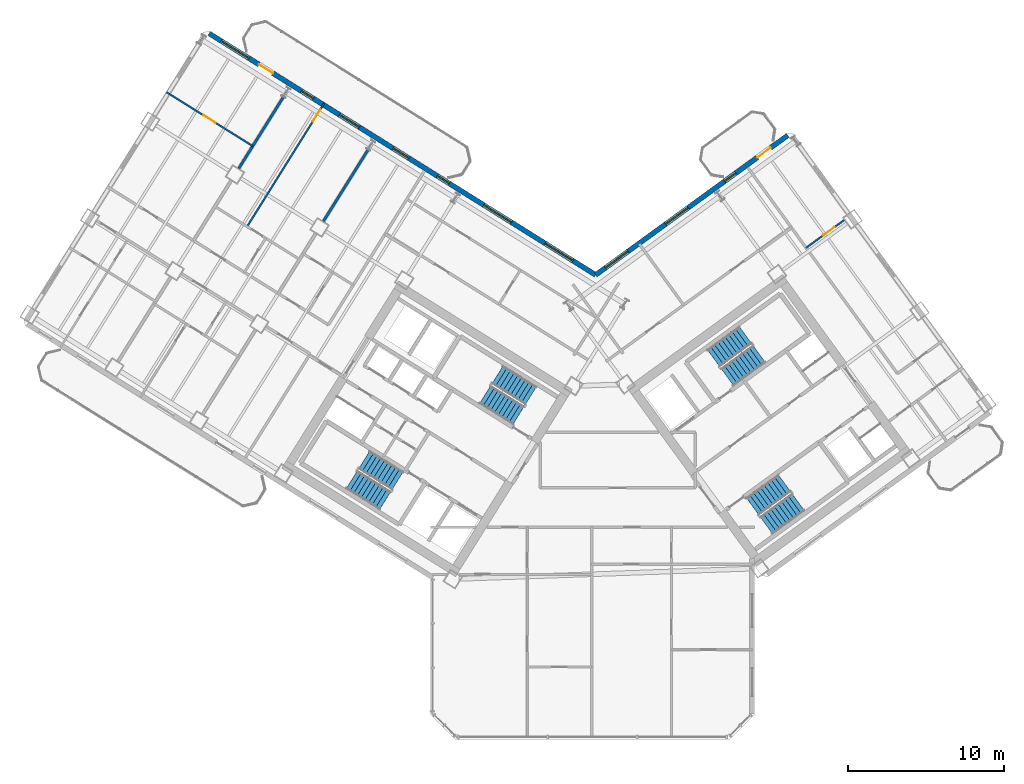
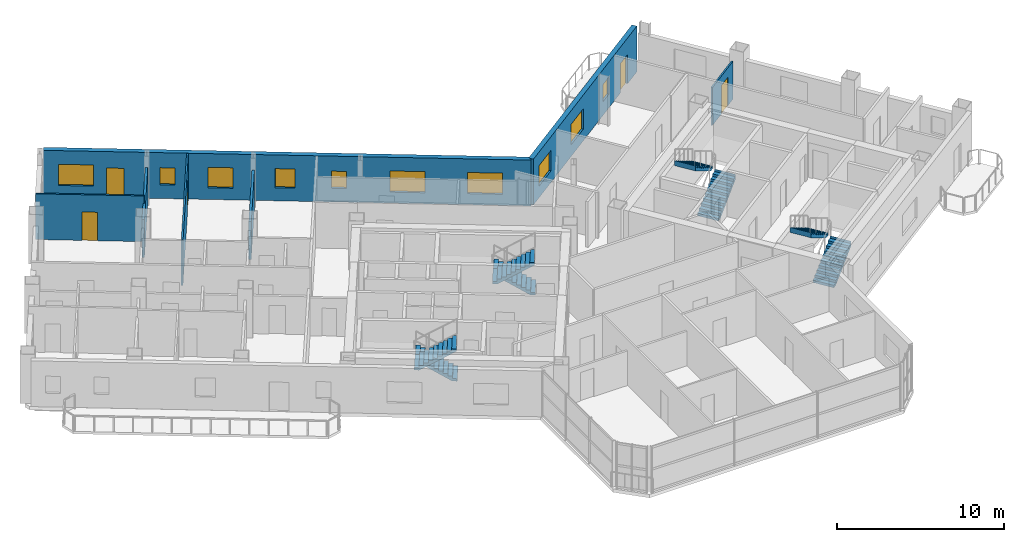
# One storey, part 16 of 20: 10 windows, 8 stair flights, 7 walls, 5 doors, 15 openings, 4 elements without a shape of their own.
"""IFC4 building model written with IfcOpenShell, lengths in metres."""

import ifcopenshell
import ifcopenshell.guid

model = None  # the IFC model being written
_history = None  # IfcOwnerHistory: only IFC2X3 demands one
_inside = {}  # id of a spatial element -> (the spatial element, [elements in it])
_under = {}  # id of a project, library or spatial element -> (it, [spatial elements below it])
_declared = {}  # id of a project -> (the project, [libraries it declares])
_typed = {}  # id of a type object -> (the type object, [elements of that type])
_made_of = {}  # id of a material, layer set ... -> (it, [elements and type objects made of it])


def new_model(schema):
    """Start an empty IFC model of exactly this schema.

    Asked for "IFC4X3", IfcOpenShell would pick the latest addendum, in which some entities
    have other attributes; the version numbers below select the first issue.
    IFC2X3 requires an IfcOwnerHistory on every rooted entity: one is made here for all.
    """
    global model, _history
    if schema == "IFC4X3":
        model = ifcopenshell.file(schema_version=(4, 3, 0, 0))
    else:
        model = ifcopenshell.file(schema=schema)
    _inside.clear()
    _under.clear()
    _declared.clear()
    _typed.clear()
    _made_of.clear()
    _history = None
    if model.schema == "IFC2X3":
        org = make("IfcOrganization", Name="unknown")
        user = make(
            "IfcPersonAndOrganization",
            ThePerson=make("IfcPerson", FamilyName="unknown"),
            TheOrganization=org,
        )
        app = make(
            "IfcApplication",
            ApplicationDeveloper=org,
            Version="unknown",
            ApplicationFullName="unknown",
            ApplicationIdentifier="unknown",
        )
        _history = make(
            "IfcOwnerHistory",
            OwningUser=user,
            OwningApplication=app,
            ChangeAction="ADDED",
            CreationDate=0,
        )
    return model


def make(cls, **values):
    """One entity of the class cls with the attributes given. An attribute that is None is left unset."""
    return model.create_entity(
        cls, **{name: value for name, value in values.items() if value is not None}
    )


def rooted(cls, **values):
    """An entity with a GlobalId (a new one), such as an element, a storey or a relation."""
    return make(cls, GlobalId=ifcopenshell.guid.new(), OwnerHistory=_history, **values)


def si_unit(unit_type, name, prefix=None):
    """IfcSIUnit, for example si_unit("LENGTHUNIT", "METRE", prefix="MILLI")."""
    return make("IfcSIUnit", UnitType=unit_type, Prefix=prefix, Name=name)


def assignment(units):
    """IfcUnitAssignment: the units of a project."""
    return None if units is None else make("IfcUnitAssignment", Units=units)


def point(xyz):
    """IfcCartesianPoint."""
    return None if xyz is None else make("IfcCartesianPoint", Coordinates=xyz)


def direction(xyz):
    """IfcDirection."""
    return None if xyz is None else make("IfcDirection", DirectionRatios=xyz)


def frame(location, z_axis=None, x_axis=None):
    """IfcAxis2Placement3D, a coordinate frame: its origin and axes. An axis left out is left unset."""
    return make(
        "IfcAxis2Placement3D",
        Location=point(location),
        Axis=direction(z_axis),
        RefDirection=direction(x_axis),
    )


def frame_2d(location, x_axis=None):
    """IfcAxis2Placement2D, a coordinate frame in the plane: its origin and x axis."""
    return make(
        "IfcAxis2Placement2D", Location=point(location), RefDirection=direction(x_axis)
    )


def origin():
    """The frame at (0, 0, 0) with its axes left unset."""
    return frame((0.0, 0.0, 0.0))


def place(relative_to, where):
    """IfcLocalPlacement: puts the frame where relative to a parent placement (None: the world)."""
    return make(
        "IfcLocalPlacement", PlacementRelTo=relative_to, RelativePlacement=where
    )


def context(
    kind, dimensions, precision=None, world=None, true_north=None, identifier=None
):
    """IfcGeometricRepresentationContext, for example the 3D "Model" context."""
    return make(
        "IfcGeometricRepresentationContext",
        ContextIdentifier=identifier,
        ContextType=kind,
        CoordinateSpaceDimension=dimensions,
        Precision=precision,
        WorldCoordinateSystem=world,
        TrueNorth=true_north,
    )


def subcontext(parent, identifier, kind, view, scale=None):
    """IfcGeometricRepresentationSubContext, for example "Body" below "Model"."""
    return make(
        "IfcGeometricRepresentationSubContext",
        ContextIdentifier=identifier,
        ContextType=kind,
        ParentContext=parent,
        TargetScale=scale,
        TargetView=view,
    )


def project(units=None, contexts=None):
    """IfcProject with its units and contexts."""
    return rooted(
        "IfcProject",
        Name="project",
        RepresentationContexts=contexts,
        UnitsInContext=assignment(units),
    )


def spatial(cls, under=None, at=None, **own):
    """A site, building, storey or space (cls), placed at a placement, below another one or the project."""
    s = rooted(cls, ObjectPlacement=at, **own)
    if under is not None:
        _under.setdefault(under.id(), (under, []))[1].append(s)
    return s


def polyline(points):
    """IfcPolyline through the points."""
    return make("IfcPolyline", Points=[point(p) for p in points])


def profile(cls, at=None, kind="AREA", **sizes):
    """A parametric profile (cls). Its sizes go by their IFC names, for example OverallWidth=200.0."""
    return make(cls, ProfileType=kind, Position=at, **sizes)


def rectangle(**sizes):
    """IfcRectangleProfileDef."""
    return profile("IfcRectangleProfileDef", **sizes)


def outline(outer, holes=None, kind="AREA"):
    """IfcArbitraryClosedProfileDef: a profile drawn as a closed curve; with holes, ...WithVoids."""
    if holes is None:
        return make("IfcArbitraryClosedProfileDef", ProfileType=kind, OuterCurve=outer)
    return make(
        "IfcArbitraryProfileDefWithVoids",
        ProfileType=kind,
        OuterCurve=outer,
        InnerCurves=holes,
    )


def extrude(swept, where, along, depth):
    """IfcExtrudedAreaSolid: the profile swept, set in the frame where, extruded along a direction by depth."""
    return make(
        "IfcExtrudedAreaSolid",
        SweptArea=swept,
        Position=where,
        ExtrudedDirection=direction(along),
        Depth=depth,
    )


def shape(context_of_items, identifier, shape_type, items):
    """IfcShapeRepresentation: the items that make up one representation, for example the "Body"."""
    return make(
        "IfcShapeRepresentation",
        ContextOfItems=context_of_items,
        RepresentationIdentifier=identifier,
        RepresentationType=shape_type,
        Items=items,
    )


def source(mapping_origin, context_of_items, identifier, shape_type, items):
    """IfcRepresentationMap: a shape defined once, which mapped items show again and again."""
    return make(
        "IfcRepresentationMap",
        MappingOrigin=mapping_origin,
        MappedRepresentation=shape(context_of_items, identifier, shape_type, items),
    )


def transform(
    local_origin,
    x_axis=None,
    y_axis=None,
    z_axis=None,
    scale=None,
    scale2=None,
    scale3=None,
    uniform=True,
):
    """IfcCartesianTransformationOperator3D, or its non-uniform kind. x_axis, y_axis, z_axis: its Axis1, 2, 3."""
    if uniform:
        return make(
            "IfcCartesianTransformationOperator3D",
            Axis1=direction(x_axis),
            Axis2=direction(y_axis),
            LocalOrigin=point(local_origin),
            Scale=scale,
            Axis3=direction(z_axis),
        )
    return make(
        "IfcCartesianTransformationOperator3DnonUniform",
        Axis1=direction(x_axis),
        Axis2=direction(y_axis),
        LocalOrigin=point(local_origin),
        Scale=scale,
        Axis3=direction(z_axis),
        Scale2=scale2,
        Scale3=scale3,
    )


def mapped(mapping_source, mapping_target):
    """IfcMappedItem: shows the shape of a source again, moved by a transform."""
    return make(
        "IfcMappedItem", MappingSource=mapping_source, MappingTarget=mapping_target
    )


def material(Name=None, Category=None):
    """IfcMaterial."""
    return make("IfcMaterial", Name=Name, Category=Category)


def layer(
    of_material, thickness, ventilated=None, Name=None, Category=None, Priority=None
):
    """IfcMaterialLayer: one layer of a wall or slab, of a material (None: an air gap)."""
    return make(
        "IfcMaterialLayer",
        Material=of_material,
        LayerThickness=thickness,
        IsVentilated=ventilated,
        Name=Name,
        Category=Category,
        Priority=Priority,
    )


def layer_set(layers, Name=None):
    """IfcMaterialLayerSet."""
    return make("IfcMaterialLayerSet", MaterialLayers=layers, LayerSetName=Name)


def made_of(thing, what):
    """Note that an element or type object is made of a material, layer set ...; save() writes the relation."""
    if what is not None:
        _made_of.setdefault(what.id(), (what, []))[1].append(thing)
    return thing


def type_object(cls, material=None, **own):
    """A type object (cls), such as IfcWallType, which elements share."""
    return made_of(rooted(cls, **own), material)


def element(
    cls,
    number,
    at=None,
    inside=None,
    cuts=None,
    type_object=None,
    material=None,
    context=None,
    identifier="Body",
    shape_type=None,
    held_by="IfcProductDefinitionShape",
    body=None,
    shapes=None,
    **own,
):
    """One element of the class cls, such as IfcWall. Its Tag is "e" and its number.

    at: its placement. inside: the storey or other place that contains it. cuts: it is an
    opening in that element (IfcRelVoidsElement). A single representation is given by context,
    identifier, shape_type and body (its items); several are given by shapes. held_by: the class
    of the entity that holds the representations. save() writes the other relations.
    """
    e = rooted(cls, Tag="e%d" % number, ObjectPlacement=at, **own)
    if body is not None:
        shapes = [shape(context, identifier, shape_type, body)]
    if shapes is not None:
        e.Representation = make(held_by, Representations=shapes)
    if inside is not None:
        _inside.setdefault(inside.id(), (inside, []))[1].append(e)
    if cuts is not None:
        rooted(
            "IfcRelVoidsElement", RelatingBuildingElement=cuts, RelatedOpeningElement=e
        )
    if type_object is not None:
        _typed.setdefault(type_object.id(), (type_object, []))[1].append(e)
    return made_of(e, material)


def fill(opening, filler):
    """IfcRelFillsElement: the door or window that sits in an opening."""
    return rooted(
        "IfcRelFillsElement",
        RelatingOpeningElement=opening,
        RelatedBuildingElement=filler,
    )


def aggregate(whole, parts):
    """IfcRelAggregates: a whole, such as a stair, and the parts it consists of."""
    return rooted("IfcRelAggregates", RelatingObject=whole, RelatedObjects=parts)


def save(model, path):
    """Write the relations noted so far, then the file.

    IfcRelAggregates (storeys below a building ...), IfcRelContainedInSpatialStructure (elements
    in a storey), IfcRelDefinesByType, IfcRelAssociatesMaterial and IfcRelDeclares: one each for
    every whole, place, type object, material and project.
    """
    for whole, parts in _under.values():
        aggregate(whole, parts)
    for where, things in _inside.values():
        rooted(
            "IfcRelContainedInSpatialStructure",
            RelatedElements=things,
            RelatingStructure=where,
        )
    for kind, things in _typed.values():
        rooted("IfcRelDefinesByType", RelatedObjects=things, RelatingType=kind)
    for what, things in _made_of.values():
        rooted("IfcRelAssociatesMaterial", RelatedObjects=things, RelatingMaterial=what)
    for by, libraries in _declared.values():
        rooted("IfcRelDeclares", RelatingContext=by, RelatedDefinitions=libraries)
    model.write(path)


model = new_model("IFC4")

# Units and contexts
model_context = context("Model", 3, precision=1e-05, world=origin(), true_north=direction((0.0, 1.0)))
body_context = subcontext(model_context, "Body", "Model", "MODEL_VIEW")
ifc_project = project(units=[si_unit("LENGTHUNIT", "METRE"), si_unit("AREAUNIT", "SQUARE_METRE"), si_unit("VOLUMEUNIT", "CUBIC_METRE"), si_unit("PLANEANGLEUNIT", "RADIAN"), si_unit("MASSUNIT", "GRAM", prefix="KILO")], contexts=[model_context])

# Site, building, storey
site_placement = place(None, origin())
site = spatial("IfcSite", under=ifc_project, at=site_placement, CompositionType="ELEMENT")
building_placement = place(site_placement, origin())
building = spatial("IfcBuilding", under=site, at=building_placement, Name="Tlacorven Tower", CompositionType="ELEMENT")
storey_placement = place(building_placement, frame((0.0, 0.0, 108.89990234375)))
storey = spatial("IfcBuildingStorey", under=building, at=storey_placement, Name="L27", CompositionType="ELEMENT", Elevation=108.89990234375)

# Walls
ifc_material_1 = material(Name="Gypsum plasterboard acoustic partition", Category="gypsum")
ifc_layer_1 = layer(ifc_material_1, 0.159912109375)
ifc_layer_set_1 = layer_set([ifc_layer_1], Name="Gypsum plasterboard acoustic partition")
wall_type_1 = type_object("IfcWallType", Name="WL-DEM-160", PredefinedType="PARTITIONING", material=ifc_layer_set_1)
for number, where, z_axis, x_axis, name in (
    (1, (27.607421875, 39.614990234375, 0.0), (0.0, 0.0, 1.0), (-0.529913610495, -0.848051628978, 0.0), "L27 WS Demising Wall 1"),
    (2, (22.179931640625, 43.00634765625, 0.0), (0.0, 0.0, 1.0), (-0.529913610495, -0.848051628978, 0.0), "L27 WS Demising Wall 2"),
):
    element("IfcWall", number, at=place(storey_placement, frame(where, z_axis=z_axis, x_axis=x_axis)), inside=storey, type_object=wall_type_1, Name=name, PredefinedType="PARTITIONING", context=body_context, shape_type="SweptSolid", body=[
        extrude(rectangle(XDim=5.40087890625, YDim=0.159912109375, at=frame_2d((2.700439453125, 0.0))), origin(), (0.0, 0.0, 1.0), 2.775146484375),
    ])

# Wall, openings, door, windows
ifc_material_2 = material(Name="Precast concrete C45/55", Category="concrete")
ifc_layer_2 = layer(ifc_material_2, 0.320068359375)
ifc_layer_set_2 = layer_set([ifc_layer_2], Name="Precast concrete C45/55")
wall_type_2 = type_object("IfcWallType", Name="WL-EXT-320", PredefinedType="STANDARD", material=ifc_layer_set_2)
wall_1_placement = place(storey_placement, frame((17.423828125, 47.083251953125, 0.0), z_axis=(0.0, 0.0, 1.0), x_axis=(0.848049927979, -0.529916332693, 0.0)))
wall_1 = element("IfcWall", 3, at=wall_1_placement, inside=storey, type_object=wall_type_2, Name="L27 Masonry-Frame Recessed Facade Wall 3", PredefinedType="STANDARD", context=body_context, shape_type="SweptSolid", body=[
    extrude(rectangle(XDim=29.22314453125, YDim=0.320068359375, at=frame_2d((14.611572265625, 0.0))), origin(), (0.0, 0.0, 1.0), 3.35009765625),
])
opening_1_placement = place(wall_1_placement, frame((3.77001953125, 0.0, 0.0)))
opening_1 = element("IfcOpeningElement", 4, at=opening_1_placement, cuts=wall_1, Name="Opening D06", PredefinedType="OPENING", context=body_context, shape_type="SweptSolid", body=[
    extrude(rectangle(XDim=1.050048828125, YDim=2.14990234375, at=frame_2d((0.52490234375, 1.074951171875))), frame((0.0, 0.169921875, 0.0), z_axis=(0.0, -1.0, 0.0), x_axis=(1.0, 0.0, 0.0)), (0.0, 0.0, 1.0), 0.340087890625),
])
opening_2_placement = place(wall_1_placement, frame((0.89990234375, 0.0, 0.800048828125)))
opening_2 = element("IfcOpeningElement", 5, at=opening_2_placement, cuts=wall_1, Name="Opening WN04", PredefinedType="OPENING", context=body_context, shape_type="SweptSolid", body=[
    extrude(rectangle(XDim=2.10009765625, YDim=1.550048828125, at=frame_2d((1.050048828125, 0.77490234375))), frame((0.0, 0.169921875, 0.0), z_axis=(0.0, -1.0, 0.0), x_axis=(1.0, 0.0, 0.0)), (0.0, 0.0, 1.0), 0.340087890625),
])
opening_3_placement = place(wall_1_placement, frame((6.97216796875, 0.0, 1.0)))
opening_3 = element("IfcOpeningElement", 6, at=opening_3_placement, cuts=wall_1, Name="Opening WN05", PredefinedType="OPENING", context=body_context, shape_type="SweptSolid", body=[
    extrude(rectangle(XDim=0.89990234375, YDim=1.25, at=frame_2d((0.449951171875, 0.625))), frame((0.0, 0.169921875, 0.0), z_axis=(0.0, -1.0, 0.0), x_axis=(1.0, 0.0, 0.0)), (0.0, 0.0, 1.0), 0.340087890625),
])
opening_4_placement = place(wall_1_placement, frame((9.84716796875, 0.0, 0.85009765625)))
opening_4 = element("IfcOpeningElement", 7, at=opening_4_placement, cuts=wall_1, Name="Opening WN02", PredefinedType="OPENING", context=body_context, shape_type="SweptSolid", body=[
    extrude(rectangle(XDim=1.5, YDim=1.5, at=frame_2d((0.75, 0.75))), frame((0.0, 0.169921875, 0.0), z_axis=(0.0, -1.0, 0.0), x_axis=(1.0, 0.0, 0.0)), (0.0, 0.0, 1.0), 0.340087890625),
])
opening_5_placement = place(wall_1_placement, frame((13.888671875, 0.0, 0.949951171875)))
opening_5 = element("IfcOpeningElement", 8, at=opening_5_placement, cuts=wall_1, Name="Opening WN03", PredefinedType="OPENING", context=body_context, shape_type="SweptSolid", body=[
    extrude(rectangle(XDim=1.199951171875, YDim=1.39990234375, at=frame_2d((0.60009765625, 0.699951171875))), frame((0.0, 0.169921875, 0.0), z_axis=(0.0, -1.0, 0.0), x_axis=(1.0, 0.0, 0.0)), (0.0, 0.0, 1.0), 0.340087890625),
])
opening_6_placement = place(wall_1_placement, frame((17.253662109375, 0.0, 1.0)))
opening_6 = element("IfcOpeningElement", 9, at=opening_6_placement, cuts=wall_1, Name="Opening WN05", PredefinedType="OPENING", context=body_context, shape_type="SweptSolid", body=[
    extrude(rectangle(XDim=0.89990234375, YDim=1.25, at=frame_2d((0.449951171875, 0.625))), frame((0.0, 0.169921875, 0.0), z_axis=(0.0, -1.0, 0.0), x_axis=(1.0, 0.0, 0.0)), (0.0, 0.0, 1.0), 0.340087890625),
])
opening_7_placement = place(wall_1_placement, frame((20.763671875, 0.0, 0.800048828125)))
opening_7 = element("IfcOpeningElement", 10, at=opening_7_placement, cuts=wall_1, Name="Opening WN04", PredefinedType="OPENING", context=body_context, shape_type="SweptSolid", body=[
    extrude(rectangle(XDim=2.10009765625, YDim=1.550048828125, at=frame_2d((1.050048828125, 0.77490234375))), frame((0.0, 0.169921875, 0.0), z_axis=(0.0, -1.0, 0.0), x_axis=(1.0, 0.0, 0.0)), (0.0, 0.0, 1.0), 0.340087890625),
])
opening_8_placement = place(wall_1_placement, frame((25.4033203125, 0.0, 0.800048828125)))
opening_8 = element("IfcOpeningElement", 11, at=opening_8_placement, cuts=wall_1, Name="Opening WN04", PredefinedType="OPENING", context=body_context, shape_type="SweptSolid", body=[
    extrude(rectangle(XDim=2.10009765625, YDim=1.550048828125, at=frame_2d((1.050048828125, 0.77490234375))), frame((0.0, 0.169921875, 0.0), z_axis=(0.0, -1.0, 0.0), x_axis=(1.0, 0.0, 0.0)), (0.0, 0.0, 1.0), 0.340087890625),
])
ifc_material_3 = material(Name="Powder-coated aluminium and timber door", Category="wood")
door_type_1 = type_object("IfcDoorType", Name="DR-EXT-BALC-1050", OperationType="NOTDEFINED", PredefinedType="DOOR", material=ifc_material_3)
shared_shape_1 = source(origin(), body_context, "Body", "SweptSolid", [
    extrude(rectangle(XDim=1.050048828125, YDim=2.14990234375, at=frame_2d((0.52490234375, 1.074951171875))), frame((0.0, 0.02490234375, 0.0), z_axis=(0.0, -1.0, 0.0), x_axis=(1.0, 0.0, 0.0)), (0.0, 0.0, 1.0), 0.050048828125),
])
door_1_placement = place(opening_1_placement, origin())
door_1 = element("IfcDoor", 12, at=door_1_placement, inside=storey, type_object=door_type_1, Name="L27 Outdoor Access Door BAL-L27-W-IN", OperationType="SINGLE_SWING_RIGHT", OverallHeight=2.14990234375, OverallWidth=1.050048828125, PredefinedType="DOOR", context=body_context, shape_type="MappedRepresentation", body=[
    mapped(shared_shape_1, transform((0.0, 0.0, 0.0), scale=1.0)),
])
fill(opening_1, door_1)
ifc_material_4 = material(Name="Dark solar low-E double glazing in anodised aluminium frame", Category="aluminium")
window_type_1 = type_object("IfcWindowType", Name="WN-APT-2100X1750", PartitioningType="SINGLE_PANEL", PredefinedType="WINDOW", material=ifc_material_4)
shared_shape_2 = source(origin(), body_context, "Body", "SweptSolid", [
    extrude(rectangle(XDim=2.10009765625, YDim=1.550048828125, at=frame_2d((1.050048828125, 0.77490234375))), frame((0.0, 0.030029296875, 0.0), z_axis=(0.0, -1.0, 0.0), x_axis=(1.0, 0.0, 0.0)), (0.0, 0.0, 1.0), 0.06005859375),
])
window_1_placement = place(opening_2_placement, origin())
window_1 = element("IfcWindow", 13, at=window_1_placement, inside=storey, type_object=window_type_1, Name="L27 Recessed Masonry-Frame Window L27-03.1", OverallHeight=1.550048828125, OverallWidth=2.10009765625, PartitioningType="SINGLE_PANEL", PredefinedType="WINDOW", context=body_context, shape_type="MappedRepresentation", body=[
    mapped(shared_shape_2, transform((0.0, 0.0, 0.0), scale=1.0)),
])
fill(opening_2, window_1)
window_2_placement = place(opening_7_placement, origin())
window_2 = element("IfcWindow", 14, at=window_2_placement, inside=storey, type_object=window_type_1, Name="L27 Recessed Masonry-Frame Window L27-03.6", OverallHeight=1.550048828125, OverallWidth=2.10009765625, PartitioningType="SINGLE_PANEL", PredefinedType="WINDOW", context=body_context, shape_type="MappedRepresentation", body=[
    mapped(shared_shape_2, transform((0.0, 0.0, 0.0), scale=1.0)),
])
fill(opening_7, window_2)
window_3_placement = place(opening_8_placement, origin())
window_3 = element("IfcWindow", 15, at=window_3_placement, inside=storey, type_object=window_type_1, Name="L27 Recessed Masonry-Frame Window L27-03.7", OverallHeight=1.550048828125, OverallWidth=2.10009765625, PartitioningType="SINGLE_PANEL", PredefinedType="WINDOW", context=body_context, shape_type="MappedRepresentation", body=[
    mapped(shared_shape_2, transform((0.0, 0.0, 0.0), scale=1.0)),
])
fill(opening_8, window_3)
window_type_2 = type_object("IfcWindowType", Name="WN-APT-1200X1500", PartitioningType="SINGLE_PANEL", PredefinedType="WINDOW", material=ifc_material_4)
shared_shape_3 = source(origin(), body_context, "Body", "SweptSolid", [
    extrude(rectangle(XDim=1.199951171875, YDim=1.39990234375, at=frame_2d((0.60009765625, 0.699951171875))), frame((0.0, 0.030029296875, 0.0), z_axis=(0.0, -1.0, 0.0), x_axis=(1.0, 0.0, 0.0)), (0.0, 0.0, 1.0), 0.06005859375),
])
window_4_placement = place(opening_5_placement, origin())
window_4 = element("IfcWindow", 16, at=window_4_placement, inside=storey, type_object=window_type_2, Name="L27 Recessed Masonry-Frame Window L27-03.4", OverallHeight=1.39990234375, OverallWidth=1.199951171875, PartitioningType="SINGLE_PANEL", PredefinedType="WINDOW", context=body_context, shape_type="MappedRepresentation", body=[
    mapped(shared_shape_3, transform((0.0, 0.0, 0.0), scale=1.0)),
])
fill(opening_5, window_4)
window_type_3 = type_object("IfcWindowType", Name="WN-APT-1500X1650", PartitioningType="SINGLE_PANEL", PredefinedType="WINDOW", material=ifc_material_4)
shared_shape_4 = source(origin(), body_context, "Body", "SweptSolid", [
    extrude(rectangle(XDim=1.5, YDim=1.5, at=frame_2d((0.75, 0.75))), frame((0.0, 0.030029296875, 0.0), z_axis=(0.0, -1.0, 0.0), x_axis=(1.0, 0.0, 0.0)), (0.0, 0.0, 1.0), 0.06005859375),
])
window_5_placement = place(opening_4_placement, origin())
window_5 = element("IfcWindow", 17, at=window_5_placement, inside=storey, type_object=window_type_3, Name="L27 Recessed Masonry-Frame Window L27-03.3", OverallHeight=1.5, OverallWidth=1.5, PartitioningType="SINGLE_PANEL", PredefinedType="WINDOW", context=body_context, shape_type="MappedRepresentation", body=[
    mapped(shared_shape_4, transform((0.0, 0.0, 0.0), scale=1.0)),
])
fill(opening_4, window_5)
window_type_4 = type_object("IfcWindowType", Name="WN-APT-0900X1350", PartitioningType="SINGLE_PANEL", PredefinedType="WINDOW", material=ifc_material_4)
shared_shape_5 = source(origin(), body_context, "Body", "SweptSolid", [
    extrude(rectangle(XDim=0.89990234375, YDim=1.25, at=frame_2d((0.449951171875, 0.625))), frame((0.0, 0.030029296875, 0.0), z_axis=(0.0, -1.0, 0.0), x_axis=(1.0, 0.0, 0.0)), (0.0, 0.0, 1.0), 0.06005859375),
])
window_6_placement = place(opening_3_placement, origin())
window_6 = element("IfcWindow", 18, at=window_6_placement, inside=storey, type_object=window_type_4, Name="L27 Recessed Masonry-Frame Window L27-03.2", OverallHeight=1.25, OverallWidth=0.89990234375, PartitioningType="SINGLE_PANEL", PredefinedType="WINDOW", context=body_context, shape_type="MappedRepresentation", body=[
    mapped(shared_shape_5, transform((0.0, 0.0, 0.0), scale=1.0)),
])
fill(opening_3, window_6)
window_7_placement = place(opening_6_placement, origin())
window_7 = element("IfcWindow", 19, at=window_7_placement, inside=storey, type_object=window_type_4, Name="L27 Recessed Masonry-Frame Window L27-03.5", OverallHeight=1.25, OverallWidth=0.89990234375, PartitioningType="SINGLE_PANEL", PredefinedType="WINDOW", context=body_context, shape_type="MappedRepresentation", body=[
    mapped(shared_shape_5, transform((0.0, 0.0, 0.0), scale=1.0)),
])
fill(opening_6, window_7)

wall_2_placement = place(storey_placement, frame((42.20654296875, 31.597412109375, 0.0), z_axis=(0.0, 0.0, 1.0), x_axis=(0.809020333377, 0.587780656523, 0.0)))
wall_2 = element("IfcWall", 20, at=wall_2_placement, inside=storey, type_object=wall_type_2, Name="L27 Masonry-Frame Recessed Facade Wall 4", PredefinedType="STANDARD", context=body_context, shape_type="SweptSolid", body=[
    extrude(rectangle(XDim=15.222900390625, YDim=0.320068359375, at=frame_2d((7.611328125, 0.0))), origin(), (0.0, 0.0, 1.0), 3.35009765625),
])
opening_9_placement = place(wall_2_placement, frame((12.81982421875, 0.0, 0.0)))
opening_9 = element("IfcOpeningElement", 21, at=opening_9_placement, cuts=wall_2, Name="Opening D06", PredefinedType="OPENING", context=body_context, shape_type="SweptSolid", body=[
    extrude(rectangle(XDim=1.050048828125, YDim=2.14990234375, at=frame_2d((0.52490234375, 1.074951171875))), frame((0.0, 0.169921875, 0.0), z_axis=(0.0, -1.0, 0.0), x_axis=(1.0, 0.0, 0.0)), (0.0, 0.0, 1.0), 0.340087890625),
])
opening_10_placement = place(wall_2_placement, frame((0.774658203125, 0.0, 0.85009765625)))
opening_10 = element("IfcOpeningElement", 22, at=opening_10_placement, cuts=wall_2, Name="Opening WN01", PredefinedType="OPENING", context=body_context, shape_type="SweptSolid", body=[
    extrude(rectangle(XDim=1.800048828125, YDim=1.5, at=frame_2d((0.89990234375, 0.75))), frame((0.0, 0.169921875, 0.0), z_axis=(0.0, -1.0, 0.0), x_axis=(1.0, 0.0, 0.0)), (0.0, 0.0, 1.0), 0.340087890625),
])
opening_11_placement = place(wall_2_placement, frame((5.54443359375, 0.0, 0.85009765625)))
opening_11 = element("IfcOpeningElement", 23, at=opening_11_placement, cuts=wall_2, Name="Opening WN01", PredefinedType="OPENING", context=body_context, shape_type="SweptSolid", body=[
    extrude(rectangle(XDim=1.800048828125, YDim=1.5, at=frame_2d((0.89990234375, 0.75))), frame((0.0, 0.169921875, 0.0), z_axis=(0.0, -1.0, 0.0), x_axis=(1.0, 0.0, 0.0)), (0.0, 0.0, 1.0), 0.340087890625),
])
opening_12_placement = place(wall_2_placement, frame((10.219482421875, 0.0, 1.0)))
opening_12 = element("IfcOpeningElement", 24, at=opening_12_placement, cuts=wall_2, Name="Opening WN05", PredefinedType="OPENING", context=body_context, shape_type="SweptSolid", body=[
    extrude(rectangle(XDim=0.89990234375, YDim=1.25, at=frame_2d((0.449951171875, 0.625))), frame((0.0, 0.169921875, 0.0), z_axis=(0.0, -1.0, 0.0), x_axis=(1.0, 0.0, 0.0)), (0.0, 0.0, 1.0), 0.340087890625),
])
door_2_placement = place(opening_9_placement, origin())
door_2 = element("IfcDoor", 25, at=door_2_placement, inside=storey, type_object=door_type_1, Name="L27 Outdoor Access Door BAL-L27-E-IN", OperationType="SINGLE_SWING_RIGHT", OverallHeight=2.14990234375, OverallWidth=1.050048828125, PredefinedType="DOOR", context=body_context, shape_type="MappedRepresentation", body=[
    mapped(shared_shape_1, transform((0.0, 0.0, 0.0), scale=1.0)),
])
fill(opening_9, door_2)
window_type_5 = type_object("IfcWindowType", Name="WN-APT-1800X1650", PartitioningType="SINGLE_PANEL", PredefinedType="WINDOW", material=ifc_material_4)
shared_shape_6 = source(origin(), body_context, "Body", "SweptSolid", [
    extrude(rectangle(XDim=1.800048828125, YDim=1.5, at=frame_2d((0.89990234375, 0.75))), frame((0.0, 0.030029296875, 0.0), z_axis=(0.0, -1.0, 0.0), x_axis=(1.0, 0.0, 0.0)), (0.0, 0.0, 1.0), 0.06005859375),
])
window_8_placement = place(opening_10_placement, origin())
window_8 = element("IfcWindow", 26, at=window_8_placement, inside=storey, type_object=window_type_5, Name="L27 Recessed Masonry-Frame Window L27-04.1", OverallHeight=1.5, OverallWidth=1.800048828125, PartitioningType="SINGLE_PANEL", PredefinedType="WINDOW", context=body_context, shape_type="MappedRepresentation", body=[
    mapped(shared_shape_6, transform((0.0, 0.0, 0.0), scale=1.0)),
])
fill(opening_10, window_8)
window_9_placement = place(opening_11_placement, origin())
window_9 = element("IfcWindow", 27, at=window_9_placement, inside=storey, type_object=window_type_5, Name="L27 Recessed Masonry-Frame Window L27-04.2", OverallHeight=1.5, OverallWidth=1.800048828125, PartitioningType="SINGLE_PANEL", PredefinedType="WINDOW", context=body_context, shape_type="MappedRepresentation", body=[
    mapped(shared_shape_6, transform((0.0, 0.0, 0.0), scale=1.0)),
])
fill(opening_11, window_9)
window_10_placement = place(opening_12_placement, origin())
window_10 = element("IfcWindow", 28, at=window_10_placement, inside=storey, type_object=window_type_4, Name="L27 Recessed Masonry-Frame Window L27-04.3", OverallHeight=1.25, OverallWidth=0.89990234375, PartitioningType="SINGLE_PANEL", PredefinedType="WINDOW", context=body_context, shape_type="MappedRepresentation", body=[
    mapped(shared_shape_5, transform((0.0, 0.0, 0.0), scale=1.0)),
])
fill(opening_12, window_10)

# Wall, opening, door
ifc_material_5 = material(Name="Gypsum plasterboard partition", Category="gypsum")
ifc_layer_3 = layer(ifc_material_5, 0.110107421875)
ifc_layer_set_3 = layer_set([ifc_layer_3], Name="Gypsum plasterboard partition")
wall_type_3 = type_object("IfcWallType", Name="WL-INT-110", PredefinedType="PARTITIONING", material=ifc_layer_set_3)
wall_3_placement = place(storey_placement, frame((24.802490234375, 42.614013671875, 0.0), z_axis=(0.0, 0.0, 1.0), x_axis=(-0.529926099889, -0.848043824727, 0.0)))
wall_3 = element("IfcWall", 29, at=wall_3_placement, inside=storey, type_object=wall_type_3, Name="L27 partition 67", PredefinedType="PARTITIONING", context=body_context, shape_type="SweptSolid", body=[
    extrude(rectangle(XDim=9.33984375, YDim=0.110107421875, at=frame_2d((4.669921875, 0.0))), origin(), (0.0, 0.0, 1.0), 3.340087890625),
])
opening_13_placement = place(wall_3_placement, frame((0.469970703125, 0.0, 0.0)))
opening_13 = element("IfcOpeningElement", 30, at=opening_13_placement, cuts=wall_3, Name="Opening D12", PredefinedType="OPENING", context=body_context, shape_type="SweptSolid", body=[
    extrude(rectangle(XDim=0.919921875, YDim=2.080078125, at=frame_2d((0.4599609375, 1.0400390625))), frame((0.0, 0.06494140625, 0.0), z_axis=(0.0, -1.0, 0.0), x_axis=(1.0, 0.0, 0.0)), (0.0, 0.0, 1.0), 0.130126953125),
])
door_type_2 = type_object("IfcDoorType", Name="DR-INT-ROOM-0920", OperationType="NOTDEFINED", PredefinedType="DOOR", material=ifc_material_3)
shared_shape_7 = source(origin(), body_context, "Body", "SweptSolid", [
    extrude(rectangle(XDim=0.919921875, YDim=2.080078125, at=frame_2d((0.4599609375, 1.0400390625))), frame((0.0, 0.02490234375, 0.0), z_axis=(0.0, -1.0, 0.0), x_axis=(1.0, 0.0, 0.0)), (0.0, 0.0, 1.0), 0.050048828125),
])
door_3_placement = place(opening_13_placement, origin())
door_3 = element("IfcDoor", 31, at=door_3_placement, inside=storey, type_object=door_type_2, Name="L27 door 037", OperationType="SINGLE_SWING_LEFT", OverallHeight=2.080078125, OverallWidth=0.919921875, PredefinedType="DOOR", context=body_context, shape_type="MappedRepresentation", body=[
    mapped(shared_shape_7, transform((0.0, 0.0, 0.0), scale=1.0)),
])
fill(opening_13, door_3)

wall_4_placement = place(storey_placement, frame((20.21337890625, 39.859375, 0.0), z_axis=(0.0, 0.0, 1.0), x_axis=(-0.848048787466, 0.529918157905, 0.0)))
wall_4 = element("IfcWall", 32, at=wall_4_placement, inside=storey, type_object=wall_type_3, Name="L27 partition 68", PredefinedType="PARTITIONING", context=body_context, shape_type="SweptSolid", body=[
    extrude(rectangle(XDim=6.52001953125, YDim=0.110107421875, at=frame_2d((3.260009765625, 0.0))), origin(), (0.0, 0.0, 1.0), 3.340087890625),
])
opening_14_placement = place(wall_4_placement, frame((2.800048828125, 0.0, 0.0)))
opening_14 = element("IfcOpeningElement", 33, at=opening_14_placement, cuts=wall_4, Name="Opening D12", PredefinedType="OPENING", context=body_context, shape_type="SweptSolid", body=[
    extrude(rectangle(XDim=0.919921875, YDim=2.080078125, at=frame_2d((0.4599609375, 1.0400390625))), frame((0.0, 0.06494140625, 0.0), z_axis=(0.0, -1.0, 0.0), x_axis=(1.0, 0.0, 0.0)), (0.0, 0.0, 1.0), 0.130126953125),
])
door_4_placement = place(opening_14_placement, origin())
door_4 = element("IfcDoor", 34, at=door_4_placement, inside=storey, type_object=door_type_2, Name="L27 door 042", OperationType="SINGLE_SWING_RIGHT", OverallHeight=2.080078125, OverallWidth=0.919921875, PredefinedType="DOOR", context=body_context, shape_type="MappedRepresentation", body=[
    mapped(shared_shape_7, transform((0.0, 0.0, 0.0), scale=1.0)),
])
fill(opening_14, door_4)

wall_5_placement = place(storey_placement, frame((55.70263671875, 33.333984375, 0.0), z_axis=(0.0, 0.0, 1.0), x_axis=(0.809021891479, 0.587778511948, 0.0)))
wall_5 = element("IfcWall", 35, at=wall_5_placement, inside=storey, type_object=wall_type_3, Name="L27 partition 97", PredefinedType="PARTITIONING", context=body_context, shape_type="SweptSolid", body=[
    extrude(rectangle(XDim=3.028076171875, YDim=0.110107421875, at=frame_2d((1.51416015625, 0.0))), origin(), (0.0, 0.0, 1.0), 2.775146484375),
])
opening_15_placement = place(wall_5_placement, frame((1.344970703125, 0.0, 0.0)))
opening_15 = element("IfcOpeningElement", 36, at=opening_15_placement, cuts=wall_5, Name="Opening D12", PredefinedType="OPENING", context=body_context, shape_type="SweptSolid", body=[
    extrude(rectangle(XDim=0.919921875, YDim=2.080078125, at=frame_2d((0.4599609375, 1.0400390625))), frame((0.0, 0.06494140625, 0.0), z_axis=(0.0, -1.0, 0.0), x_axis=(1.0, 0.0, 0.0)), (0.0, 0.0, 1.0), 0.130126953125),
])
door_5_placement = place(opening_15_placement, origin())
door_5 = element("IfcDoor", 37, at=door_5_placement, inside=storey, type_object=door_type_2, Name="L27 door 062", OperationType="SINGLE_SWING_LEFT", OverallHeight=2.080078125, OverallWidth=0.919921875, PredefinedType="DOOR", context=body_context, shape_type="MappedRepresentation", body=[
    mapped(shared_shape_7, transform((0.0, 0.0, 0.0), scale=1.0)),
])
fill(opening_15, door_5)

# Stair, stair flights
ifc_material_6 = material(Name="Concrete C40/50", Category="concrete")
stair_type = type_object("IfcStairType", Name="ST-CORE-DLG", PredefinedType="HALF_TURN_STAIR", material=ifc_material_6)
stair_1_placement = place(storey_placement, origin())
stair_1 = element("IfcStair", 38, at=stair_1_placement, inside=storey, type_object=stair_type, Name="L27 Protected Exit Stair West 1", PredefinedType="HALF_TURN_STAIR")
stair_flight_type = type_object("IfcStairFlightType", Name="SFL-RC-1380", PredefinedType="STRAIGHT", material=ifc_material_6)
shared_shape_8 = source(origin(), body_context, "Body", "SweptSolid", [
    extrude(outline(polyline([(-0.0029296875, -0.0029296875), (-0.0029296875, 0.179931640625), (0.280029296875, 0.179931640625), (0.280029296875, 0.360107421875), (0.56005859375, 0.360107421875), (0.56005859375, 0.5400390625), (0.840087890625, 0.5400390625), (0.840087890625, 0.719970703125), (1.1201171875, 0.719970703125), (1.1201171875, 0.89990234375), (1.39990234375, 0.89990234375), (1.39990234375, 1.080078125), (1.679931640625, 1.080078125), (1.679931640625, 1.260009765625), (1.9599609375, 1.260009765625), (1.9599609375, 1.43994140625), (2.239990234375, 1.43994140625), (2.239990234375, 1.6201171875), (2.52001953125, 1.6201171875), (2.52001953125, 1.800048828125), (2.52294921875, 1.800048828125), (2.52294921875, 1.429931640625), (2.52001953125, 1.429931640625), (0.295654296875, 0.0), (0.295654296875, -0.0029296875), (-0.0029296875, -0.0029296875)])), frame((0.0, 0.68994140625, 0.0), z_axis=(0.0, -1.0, 0.0), x_axis=(1.0, 0.0, 0.0)), (0.0, 0.0, 1.0), 1.3798828125),
])
stair_flight_1_placement = place(storey_placement, frame((29.499755859375, 18.39453125, 0.0), z_axis=(0.0, 0.0, 1.0), x_axis=(-0.848048096156, 0.529919264233, 0.0)))
stair_flight_1 = element("IfcStairFlight", 39, at=stair_flight_1_placement, type_object=stair_flight_type, Name="ST-W1 flight 1", NumberOfRisers=10, NumberOfTreads=9, PredefinedType="STRAIGHT", RiserHeight=0.18, TreadLength=0.28, context=body_context, shape_type="MappedRepresentation", body=[
    mapped(shared_shape_8, transform((0.0, 0.0, 0.0), scale=1.0)),
])
stair_flight_2_placement = place(storey_placement, frame((26.56787109375, 18.4580078125, 1.800048828125), z_axis=(0.0, 0.0, 1.0), x_axis=(0.848048096156, -0.529919264233, 0.0)))
stair_flight_2 = element("IfcStairFlight", 40, at=stair_flight_2_placement, type_object=stair_flight_type, Name="ST-W1 flight 2", NumberOfRisers=10, NumberOfTreads=9, PredefinedType="STRAIGHT", RiserHeight=0.18, TreadLength=0.28, context=body_context, shape_type="MappedRepresentation", body=[
    mapped(shared_shape_8, transform((0.0, 0.0, 0.0), scale=1.0)),
])
aggregate(stair_1, [stair_flight_1, stair_flight_2])

stair_2_placement = place(storey_placement, origin())
stair_2 = element("IfcStair", 41, at=stair_2_placement, inside=storey, type_object=stair_type, Name="L27 Protected Exit Stair West 2", PredefinedType="HALF_TURN_STAIR")
stair_flight_3_placement = place(storey_placement, frame((38.051513671875, 23.852294921875, 0.0), z_axis=(0.0, 0.0, 1.0), x_axis=(-0.848048096156, 0.529919264233, 0.0)))
stair_flight_3 = element("IfcStairFlight", 42, at=stair_flight_3_placement, type_object=stair_flight_type, Name="ST-W2 flight 1", NumberOfRisers=10, NumberOfTreads=9, PredefinedType="STRAIGHT", RiserHeight=0.18, TreadLength=0.28, context=body_context, shape_type="MappedRepresentation", body=[
    mapped(shared_shape_8, transform((0.0, 0.0, 0.0), scale=1.0)),
])
stair_flight_4_placement = place(storey_placement, frame((35.119384765625, 23.91552734375, 1.800048828125), z_axis=(0.0, 0.0, 1.0), x_axis=(0.848048096156, -0.529919264233, 0.0)))
stair_flight_4 = element("IfcStairFlight", 43, at=stair_flight_4_placement, type_object=stair_flight_type, Name="ST-W2 flight 2", NumberOfRisers=10, NumberOfTreads=9, PredefinedType="STRAIGHT", RiserHeight=0.18, TreadLength=0.28, context=body_context, shape_type="MappedRepresentation", body=[
    mapped(shared_shape_8, transform((0.0, 0.0, 0.0), scale=1.0)),
])
aggregate(stair_2, [stair_flight_3, stair_flight_4])

stair_3_placement = place(storey_placement, origin())
stair_3 = element("IfcStair", 44, at=stair_3_placement, inside=storey, type_object=stair_type, Name="L27 Protected Exit Stair East 1", PredefinedType="HALF_TURN_STAIR")
stair_flight_5_placement = place(storey_placement, frame((50.6533203125, 25.0400390625, 0.0), z_axis=(0.0, 0.0, 1.0), x_axis=(0.809016994375, 0.587785252292, 0.0)))
stair_flight_5 = element("IfcStairFlight", 45, at=stair_flight_5_placement, type_object=stair_flight_type, Name="ST-E1 flight 1", NumberOfRisers=10, NumberOfTreads=9, PredefinedType="STRAIGHT", RiserHeight=0.18, TreadLength=0.28, context=body_context, shape_type="MappedRepresentation", body=[
    mapped(shared_shape_8, transform((0.0, 0.0, 0.0), scale=1.0)),
])
stair_flight_6_placement = place(storey_placement, frame((51.810546875, 27.734619140625, 1.800048828125), z_axis=(0.0, 0.0, 1.0), x_axis=(-0.809016994375, -0.587785252292, 0.0)))
stair_flight_6 = element("IfcStairFlight", 46, at=stair_flight_6_placement, type_object=stair_flight_type, Name="ST-E1 flight 2", NumberOfRisers=10, NumberOfTreads=9, PredefinedType="STRAIGHT", RiserHeight=0.18, TreadLength=0.28, context=body_context, shape_type="MappedRepresentation", body=[
    mapped(shared_shape_8, transform((0.0, 0.0, 0.0), scale=1.0)),
])
aggregate(stair_3, [stair_flight_5, stair_flight_6])

stair_4_placement = place(storey_placement, origin())
stair_4 = element("IfcStair", 47, at=stair_4_placement, inside=storey, type_object=stair_type, Name="L27 Protected Exit Stair East 2", PredefinedType="HALF_TURN_STAIR")
stair_flight_7_placement = place(storey_placement, frame((53.157470703125, 15.536865234375, 0.0), z_axis=(0.0, 0.0, 1.0), x_axis=(0.809016994375, 0.587785252292, 0.0)))
stair_flight_7 = element("IfcStairFlight", 48, at=stair_flight_7_placement, type_object=stair_flight_type, Name="ST-E2 flight 1", NumberOfRisers=10, NumberOfTreads=9, PredefinedType="STRAIGHT", RiserHeight=0.18, TreadLength=0.28, context=body_context, shape_type="MappedRepresentation", body=[
    mapped(shared_shape_8, transform((0.0, 0.0, 0.0), scale=1.0)),
])
stair_flight_8_placement = place(storey_placement, frame((54.314453125, 18.231689453125, 1.800048828125), z_axis=(0.0, 0.0, 1.0), x_axis=(-0.809016994375, -0.587785252292, 0.0)))
stair_flight_8 = element("IfcStairFlight", 49, at=stair_flight_8_placement, type_object=stair_flight_type, Name="ST-E2 flight 2", NumberOfRisers=10, NumberOfTreads=9, PredefinedType="STRAIGHT", RiserHeight=0.18, TreadLength=0.28, context=body_context, shape_type="MappedRepresentation", body=[
    mapped(shared_shape_8, transform((0.0, 0.0, 0.0), scale=1.0)),
])
aggregate(stair_4, [stair_flight_7, stair_flight_8])

save(model, "model.ifc")
